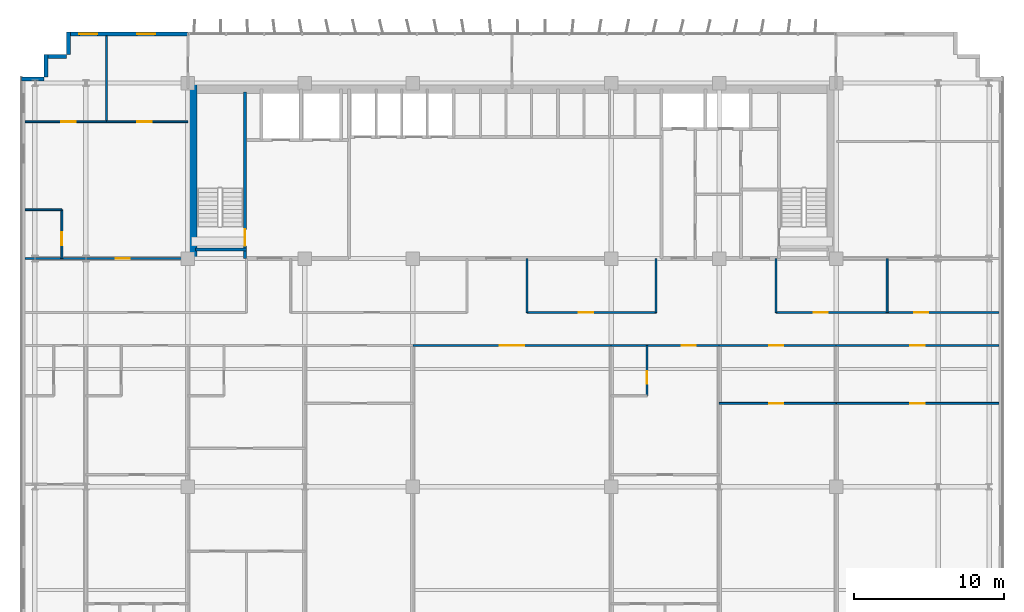
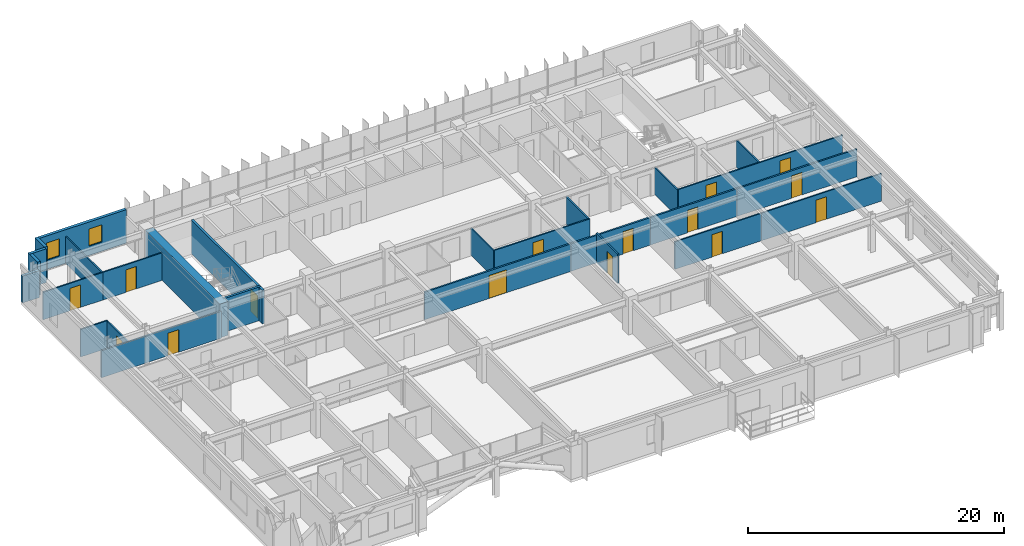
# One storey, part 20 of 25: 27 walls, 15 doors, 2 windows, 17 openings.
"""IFC4 building model written with IfcOpenShell, lengths in metres."""

from ifc_helpers import new_model, si_unit, direction, frame, frame_2d, origin, place, context, subcontext, project, spatial, rectangle, extrude, source, transform, mapped, material, layer, layer_set, type_object, element, fill, save


model = new_model("IFC4")

# Units and contexts
model_context = context("Model", 3, precision=1e-05, world=origin(), true_north=direction((0.0, 1.0)))
body_context = subcontext(model_context, "Body", "Model", "MODEL_VIEW")
ifc_project = project(units=[si_unit("LENGTHUNIT", "METRE"), si_unit("AREAUNIT", "SQUARE_METRE"), si_unit("VOLUMEUNIT", "CUBIC_METRE"), si_unit("PLANEANGLEUNIT", "RADIAN"), si_unit("MASSUNIT", "GRAM", prefix="KILO")], contexts=[model_context])

# Site, building, storey
site_placement = place(None, origin())
site = spatial("IfcSite", under=ifc_project, at=site_placement, CompositionType="ELEMENT")
building_placement = place(site_placement, origin())
building = spatial("IfcBuilding", under=site, at=building_placement, Name="Trelvane Seafront Commons", CompositionType="ELEMENT")
storey_placement = place(building_placement, frame((0.0, 0.0, 70.300048828125)))
storey = spatial("IfcBuildingStorey", under=building, at=storey_placement, Name="L18", CompositionType="ELEMENT", Elevation=70.300048828125)

# Wall, openings, windows
ifc_material_1 = material(Name="Precast concrete C40/50", Category="concrete")
ifc_layer_1 = layer(ifc_material_1, 0.260009765625, Name="ARCH-WALL-EXT260")
ifc_layer_set_1 = layer_set([ifc_layer_1], Name="Precast concrete C40/50")
wall_type_1 = type_object("IfcWallType", Name="ARCH-WALL-EXT260", PredefinedType="SOLIDWALL", material=ifc_layer_set_1)
wall_1_placement = place(storey_placement, frame((7.60009765625, 48.3701171875, 0.0), z_axis=(0.0, 0.0, 1.0), x_axis=(1.0, 0.0, 0.0)))
wall_1 = element("IfcWall", 1, at=wall_1_placement, inside=storey, type_object=wall_type_1, Name="EW-L18-NW-0325", PredefinedType="SOLIDWALL", context=body_context, shape_type="SweptSolid", body=[
    extrude(rectangle(XDim=8.0, YDim=0.260009765625, at=frame_2d((4.0, 0.0))), origin(), (0.0, 0.0, 1.0), 3.219970703125),
])
opening_1_placement = place(wall_1_placement, frame((0.76806640625, 0.0, 0.89990234375)))
opening_1 = element("IfcOpeningElement", 2, at=opening_1_placement, cuts=wall_1, Name="Opening W05", PredefinedType="OPENING", context=body_context, shape_type="SweptSolid", body=[
    extrude(rectangle(XDim=1.199951171875, YDim=1.64990234375, at=frame_2d((0.60009765625, 0.824951171875))), frame((0.0, 0.139892578125, 0.0), z_axis=(0.0, -1.0, 0.0), x_axis=(1.0, 0.0, 0.0)), (0.0, 0.0, 1.0), 0.280029296875),
])
opening_2_placement = place(wall_1_placement, frame((4.60791015625, 0.0, 0.89990234375)))
opening_2 = element("IfcOpeningElement", 3, at=opening_2_placement, cuts=wall_1, Name="Opening W05", PredefinedType="OPENING", context=body_context, shape_type="SweptSolid", body=[
    extrude(rectangle(XDim=1.199951171875, YDim=1.64990234375, at=frame_2d((0.60009765625, 0.824951171875))), frame((0.0, 0.139892578125, 0.0), z_axis=(0.0, -1.0, 0.0), x_axis=(1.0, 0.0, 0.0)), (0.0, 0.0, 1.0), 0.280029296875),
])
ifc_material_2 = material(Name="Low-E coastal double glazing", Category="glass")
window_type = type_object("IfcWindowType", Name="ARCH-WIN-W05", PartitioningType="SINGLE_PANEL", PredefinedType="WINDOW", material=ifc_material_2)
shared_shape_1 = source(origin(), body_context, "Body", "SweptSolid", [
    extrude(rectangle(XDim=1.199951171875, YDim=1.64990234375, at=frame_2d((0.60009765625, 0.824951171875))), frame((0.0, 0.030029296875, 0.0), z_axis=(0.0, -1.0, 0.0), x_axis=(1.0, 0.0, 0.0)), (0.0, 0.0, 1.0), 0.06005859375),
])
window_1_placement = place(opening_1_placement, origin())
window_1 = element("IfcWindow", 4, at=window_1_placement, inside=storey, type_object=window_type, Name="WIN-L18-00375", OverallHeight=1.64990234375, OverallWidth=1.199951171875, PartitioningType="SINGLE_PANEL", PredefinedType="WINDOW", context=body_context, shape_type="MappedRepresentation", body=[
    mapped(shared_shape_1, transform((0.0, 0.0, 0.0), x_axis=(1.0, 0.0, 0.0), y_axis=(0.0, 1.0, 0.0), z_axis=(0.0, 0.0, 1.0), scale=1.0)),
])
fill(opening_1, window_1)
window_2_placement = place(opening_2_placement, origin())
window_2 = element("IfcWindow", 5, at=window_2_placement, inside=storey, type_object=window_type, Name="WIN-L18-00376", OverallHeight=1.64990234375, OverallWidth=1.199951171875, PartitioningType="SINGLE_PANEL", PredefinedType="WINDOW", context=body_context, shape_type="MappedRepresentation", body=[
    mapped(shared_shape_1, transform((0.0, 0.0, 0.0), x_axis=(1.0, 0.0, 0.0), y_axis=(0.0, 1.0, 0.0), z_axis=(0.0, 0.0, 1.0), scale=1.0)),
])
fill(opening_2, window_2)

# Walls
wall_2_placement = place(storey_placement, frame((4.5, 45.3701171875, 0.0), z_axis=(0.0, 0.0, 1.0), x_axis=(1.0, 0.0, 0.0)))
element("IfcWall", 6, at=wall_2_placement, inside=storey, type_object=wall_type_1, Name="EW-L18-00331", PredefinedType="SOLIDWALL", context=body_context, shape_type="SweptSolid", body=[
    extrude(rectangle(XDim=1.5, YDim=0.260009765625, at=frame_2d((0.75, 0.0))), origin(), (0.0, 0.0, 1.0), 2.570068359375),
])
for number, where, z_axis, x_axis, name in (
    (7, (6.1298828125, 45.5, 0.0), (0.0, 0.0, 1.0), (0.0, 1.0, 0.0), "EW-L18-00332"),
    (8, (6.0, 46.8701171875, 0.0), (0.0, 0.0, 1.0), (1.0, 0.0, 0.0), "EW-L18-00333"),
    (9, (7.6298828125, 47.0, 0.0), (0.0, 0.0, 1.0), (0.0, 1.0, 0.0), "EW-L18-00334"),
):
    element("IfcWall", number, at=place(storey_placement, frame(where, z_axis=z_axis, x_axis=x_axis)), inside=storey, type_object=wall_type_1, Name=name, PredefinedType="SOLIDWALL", context=body_context, shape_type="SweptSolid", body=[
        extrude(rectangle(XDim=1.5, YDim=0.260009765625, at=frame_2d((0.75, 0.0))), origin(), (0.0, 0.0, 1.0), 3.219970703125),
    ])

# Wall, opening, door
ifc_material_3 = material(Name="Gypsum Drywall Acoustic Partition")
ifc_layer_2 = layer(ifc_material_3, 0.1201171875, Name="ARCH-WALL-PART120")
ifc_layer_set_2 = layer_set([ifc_layer_2], Name="Gypsum Drywall Acoustic Partition")
wall_type_2 = type_object("IfcWallType", Name="ARCH-WALL-PART120", PredefinedType="PARTITIONING", material=ifc_layer_set_2)
wall_3_placement = place(storey_placement, frame((38.199951171875, 29.800048828125, 0.0), z_axis=(0.0, 0.0, 1.0), x_axis=(1.0, 0.0, 0.0)))
wall_3 = element("IfcWall", 10, at=wall_3_placement, inside=storey, type_object=wall_type_2, Name="W-L18-CORR-N-M2-040", PredefinedType="PARTITIONING", context=body_context, shape_type="SweptSolid", body=[
    extrude(rectangle(XDim=8.60009765625, YDim=0.1201171875, at=frame_2d((4.300048828125, 0.0))), origin(), (0.0, 0.0, 1.0), 2.6318359375),
])
opening_3_placement = place(wall_3_placement, frame((3.4619140625, 0.0, 0.0)))
opening_3 = element("IfcOpeningElement", 11, at=opening_3_placement, cuts=wall_3, Name="Opening D-L18-20", PredefinedType="OPENING", context=body_context, shape_type="SweptSolid", body=[
    extrude(rectangle(XDim=0.949951171875, YDim=2.14990234375, at=frame_2d((0.47509765625, 1.074951171875))), frame((0.0, 0.070068359375, 0.0), z_axis=(0.0, -1.0, 0.0), x_axis=(1.0, 0.0, 0.0)), (0.0, 0.0, 1.0), 0.14013671875),
])
ifc_material_4 = material(Name="Acoustic timber door leaf", Category="wood")
door_type_1 = type_object("IfcDoorType", Name="ARCH-DR-INT950", OperationType="NOTDEFINED", PredefinedType="DOOR", material=ifc_material_4)
shared_shape_2 = source(origin(), body_context, "Body", "SweptSolid", [
    extrude(rectangle(XDim=0.949951171875, YDim=2.14990234375, at=frame_2d((0.47509765625, 1.074951171875))), frame((0.0, 0.02490234375, 0.0), z_axis=(0.0, -1.0, 0.0), x_axis=(1.0, 0.0, 0.0)), (0.0, 0.0, 1.0), 0.050048828125),
])
door_1_placement = place(opening_3_placement, origin())
door_1 = element("IfcDoor", 12, at=door_1_placement, inside=storey, type_object=door_type_1, Name="L18 Door 20", OperationType="SINGLE_SWING_RIGHT", OverallHeight=2.14990234375, OverallWidth=0.949951171875, PredefinedType="DOOR", context=body_context, shape_type="MappedRepresentation", body=[
    mapped(shared_shape_2, transform((0.0, 0.0, 0.0), x_axis=(1.0, 0.0, 0.0), y_axis=(0.0, 1.0, 0.0), z_axis=(0.0, 0.0, 1.0), scale=1.0)),
])
fill(opening_3, door_1)

# Wall, openings, doors
wall_4_placement = place(storey_placement, frame((54.800048828125, 29.800048828125, 0.0), z_axis=(0.0, 0.0, 1.0), x_axis=(1.0, 0.0, 0.0)))
wall_4 = element("IfcWall", 13, at=wall_4_placement, inside=storey, type_object=wall_type_2, Name="W-L18-CORR-N-E-041", PredefinedType="PARTITIONING", context=body_context, shape_type="SweptSolid", body=[
    extrude(rectangle(XDim=14.849853515625, YDim=0.1201171875, at=frame_2d((7.4248046875, 0.0))), origin(), (0.0, 0.0, 1.0), 2.6318359375),
])
opening_4_placement = place(wall_4_placement, frame((2.5, 0.0, 0.0)))
opening_4 = element("IfcOpeningElement", 14, at=opening_4_placement, cuts=wall_4, Name="Opening D-L18-21", PredefinedType="OPENING", context=body_context, shape_type="SweptSolid", body=[
    extrude(rectangle(XDim=0.949951171875, YDim=2.14990234375, at=frame_2d((0.47509765625, 1.074951171875))), frame((0.0, 0.070068359375, 0.0), z_axis=(0.0, -1.0, 0.0), x_axis=(1.0, 0.0, 0.0)), (0.0, 0.0, 1.0), 0.14013671875),
])
opening_5_placement = place(wall_4_placement, frame((9.199951171875, 0.0, 0.0)))
opening_5 = element("IfcOpeningElement", 15, at=opening_5_placement, cuts=wall_4, Name="Opening D-L18-22", PredefinedType="OPENING", context=body_context, shape_type="SweptSolid", body=[
    extrude(rectangle(XDim=0.949951171875, YDim=2.14990234375, at=frame_2d((0.47509765625, 1.074951171875))), frame((0.0, 0.070068359375, 0.0), z_axis=(0.0, -1.0, 0.0), x_axis=(1.0, 0.0, 0.0)), (0.0, 0.0, 1.0), 0.14013671875),
])
door_2_placement = place(opening_4_placement, origin())
door_2 = element("IfcDoor", 16, at=door_2_placement, inside=storey, type_object=door_type_1, Name="L18 Door 21", OperationType="SINGLE_SWING_LEFT", OverallHeight=2.14990234375, OverallWidth=0.949951171875, PredefinedType="DOOR", context=body_context, shape_type="MappedRepresentation", body=[
    mapped(shared_shape_2, transform((0.0, 0.0, 0.0), x_axis=(1.0, 0.0, 0.0), y_axis=(0.0, 1.0, 0.0), z_axis=(0.0, 0.0, 1.0), scale=1.0)),
])
fill(opening_4, door_2)
door_3_placement = place(opening_5_placement, origin())
door_3 = element("IfcDoor", 17, at=door_3_placement, inside=storey, type_object=door_type_1, Name="L18 Door 22", OperationType="SINGLE_SWING_RIGHT", OverallHeight=2.14990234375, OverallWidth=0.949951171875, PredefinedType="DOOR", context=body_context, shape_type="MappedRepresentation", body=[
    mapped(shared_shape_2, transform((0.0, 0.0, 0.0), x_axis=(1.0, 0.0, 0.0), y_axis=(0.0, 1.0, 0.0), z_axis=(0.0, 0.0, 1.0), scale=1.0)),
])
fill(opening_5, door_3)

# Walls
for number, where, z_axis, x_axis, name in (
    (18, (62.199951171875, 29.800048828125, 0.0), (0.0, 0.0, 1.0), (0.0, 1.0, 0.0), "W-L18-N-LAUN-DV-042"),
    (19, (38.199951171875, 29.800048828125, 0.0), (0.0, 0.0, 1.0), (0.0, 1.0, 0.0), "W-L18-N-SPUR-M2-046"),
    (20, (46.800048828125, 29.800048828125, 0.0), (0.0, 0.0, 1.0), (0.0, 1.0, 0.0), "W-L18-N-SPUR-E1-047"),
    (21, (54.800048828125, 29.800048828125, 0.0), (0.0, 0.0, 1.0), (0.0, 1.0, 0.0), "W-L18-N-SPUR-E2-048"),
):
    element("IfcWall", number, at=place(storey_placement, frame(where, z_axis=z_axis, x_axis=x_axis)), inside=storey, type_object=wall_type_2, Name=name, PredefinedType="PARTITIONING", context=body_context, shape_type="SweptSolid", body=[
        extrude(rectangle(XDim=3.599853515625, YDim=0.1201171875, at=frame_2d((1.7998046875, 0.0))), origin(), (0.0, 0.0, 1.0), 2.570068359375),
    ])

# Wall, opening, door
wall_5_placement = place(storey_placement, frame((7.199951171875, 33.39990234375, 0.0), z_axis=(0.0, 0.0, 1.0), x_axis=(0.0, 1.0, 0.0)))
wall_5 = element("IfcWall", 22, at=wall_5_placement, inside=storey, type_object=wall_type_2, Name="W-L18-NW-BE-049", PredefinedType="PARTITIONING", context=body_context, shape_type="SweptSolid", body=[
    extrude(rectangle(XDim=3.25, YDim=0.1201171875, at=frame_2d((1.625, 0.0))), origin(), (0.0, 0.0, 1.0), 2.570068359375),
])
opening_6_placement = place(wall_5_placement, frame((0.89990234375, 0.0, 0.0)))
opening_6 = element("IfcOpeningElement", 23, at=opening_6_placement, cuts=wall_5, Name="Opening D-L18-23", PredefinedType="OPENING", context=body_context, shape_type="SweptSolid", body=[
    extrude(rectangle(XDim=0.85009765625, YDim=2.10009765625, at=frame_2d((0.425048828125, 1.050048828125))), frame((0.0, 0.070068359375, 0.0), z_axis=(0.0, -1.0, 0.0), x_axis=(1.0, 0.0, 0.0)), (0.0, 0.0, 1.0), 0.14013671875),
])
door_type_2 = type_object("IfcDoorType", Name="ARCH-DR-INT850", OperationType="NOTDEFINED", PredefinedType="DOOR", material=ifc_material_4)
shared_shape_3 = source(origin(), body_context, "Body", "SweptSolid", [
    extrude(rectangle(XDim=0.85009765625, YDim=2.10009765625, at=frame_2d((0.425048828125, 1.050048828125))), frame((0.0, 0.02490234375, 0.0), z_axis=(0.0, -1.0, 0.0), x_axis=(1.0, 0.0, 0.0)), (0.0, 0.0, 1.0), 0.050048828125),
])
door_4_placement = place(opening_6_placement, origin())
door_4 = element("IfcDoor", 24, at=door_4_placement, inside=storey, type_object=door_type_2, Name="L18 Door 23", OperationType="SINGLE_SWING_LEFT", OverallHeight=2.10009765625, OverallWidth=0.85009765625, PredefinedType="DOOR", context=body_context, shape_type="MappedRepresentation", body=[
    mapped(shared_shape_3, transform((0.0, 0.0, 0.0), x_axis=(1.0, 0.0, 0.0), y_axis=(0.0, 1.0, 0.0), z_axis=(0.0, 0.0, 1.0), scale=1.0)),
])
fill(opening_6, door_4)

# Wall
wall_6_placement = place(storey_placement, frame((4.75, 36.64990234375, 0.0), z_axis=(0.0, 0.0, 1.0), x_axis=(1.0, 0.0, 0.0)))
element("IfcWall", 25, at=wall_6_placement, inside=storey, type_object=wall_type_2, Name="W-L18-NW-BN-050", PredefinedType="PARTITIONING", context=body_context, shape_type="SweptSolid", body=[
    extrude(rectangle(XDim=2.449951171875, YDim=0.1201171875, at=frame_2d((1.22509765625, 0.0))), origin(), (0.0, 0.0, 1.0), 2.6318359375),
])

# Wall, opening, door
wall_7_placement = place(storey_placement, frame((4.75, 42.52001953125, 0.0), z_axis=(0.0, 0.0, 1.0), x_axis=(1.0, 0.0, 0.0)))
wall_7 = element("IfcWall", 26, at=wall_7_placement, inside=storey, type_object=wall_type_2, Name="W-L18-NW-KB1-051", PredefinedType="PARTITIONING", context=body_context, shape_type="SweptSolid", body=[
    extrude(rectangle(XDim=5.425048828125, YDim=0.1201171875, at=frame_2d((2.71240234375, 0.0))), origin(), (0.0, 0.0, 1.0), 2.6318359375),
])
opening_7_placement = place(wall_7_placement, frame((2.423095703125, 0.0, 0.0)))
opening_7 = element("IfcOpeningElement", 27, at=opening_7_placement, cuts=wall_7, Name="Opening D-L18-24", PredefinedType="OPENING", context=body_context, shape_type="SweptSolid", body=[
    extrude(rectangle(XDim=0.949951171875, YDim=2.14990234375, at=frame_2d((0.47509765625, 1.074951171875))), frame((0.0, 0.070068359375, 0.0), z_axis=(0.0, -1.0, 0.0), x_axis=(1.0, 0.0, 0.0)), (0.0, 0.0, 1.0), 0.14013671875),
])
door_5_placement = place(opening_7_placement, origin())
door_5 = element("IfcDoor", 28, at=door_5_placement, inside=storey, type_object=door_type_1, Name="L18 Door 24", OperationType="SINGLE_SWING_RIGHT", OverallHeight=2.14990234375, OverallWidth=0.949951171875, PredefinedType="DOOR", context=body_context, shape_type="MappedRepresentation", body=[
    mapped(shared_shape_2, transform((0.0, 0.0, 0.0), x_axis=(1.0, 0.0, 0.0), y_axis=(0.0, 1.0, 0.0), z_axis=(0.0, 0.0, 1.0), scale=1.0)),
])
fill(opening_7, door_5)

wall_8_placement = place(storey_placement, frame((10.175048828125, 42.52001953125, 0.0), z_axis=(0.0, 0.0, 1.0), x_axis=(1.0, 0.0, 0.0)))
wall_8 = element("IfcWall", 29, at=wall_8_placement, inside=storey, type_object=wall_type_2, Name="W-L18-NW-KB2-052", PredefinedType="PARTITIONING", context=body_context, shape_type="SweptSolid", body=[
    extrude(rectangle(XDim=5.425048828125, YDim=0.1201171875, at=frame_2d((2.71240234375, 0.0))), origin(), (0.0, 0.0, 1.0), 2.6318359375),
])
opening_8_placement = place(wall_8_placement, frame((2.052001953125, 0.0, 0.0)))
opening_8 = element("IfcOpeningElement", 30, at=opening_8_placement, cuts=wall_8, Name="Opening D-L18-25", PredefinedType="OPENING", context=body_context, shape_type="SweptSolid", body=[
    extrude(rectangle(XDim=0.949951171875, YDim=2.14990234375, at=frame_2d((0.47509765625, 1.074951171875))), frame((0.0, 0.070068359375, 0.0), z_axis=(0.0, -1.0, 0.0), x_axis=(1.0, 0.0, 0.0)), (0.0, 0.0, 1.0), 0.14013671875),
])
door_6_placement = place(opening_8_placement, origin())
door_6 = element("IfcDoor", 31, at=door_6_placement, inside=storey, type_object=door_type_1, Name="L18 Door 25", OperationType="SINGLE_SWING_LEFT", OverallHeight=2.14990234375, OverallWidth=0.949951171875, PredefinedType="DOOR", context=body_context, shape_type="MappedRepresentation", body=[
    mapped(shared_shape_2, transform((0.0, 0.0, 0.0), x_axis=(1.0, 0.0, 0.0), y_axis=(0.0, 1.0, 0.0), z_axis=(0.0, 0.0, 1.0), scale=1.0)),
])
fill(opening_8, door_6)

# Wall
wall_9_placement = place(storey_placement, frame((10.175048828125, 42.52001953125, 0.0), z_axis=(0.0, 0.0, 1.0), x_axis=(0.0, 1.0, 0.0)))
element("IfcWall", 32, at=wall_9_placement, inside=storey, type_object=wall_type_2, Name="W-L18-NW-KBDV-053", PredefinedType="PARTITIONING", context=body_context, shape_type="SweptSolid", body=[
    extrude(rectangle(XDim=5.719970703125, YDim=0.1201171875, at=frame_2d((2.85986328125, 0.0))), origin(), (0.0, 0.0, 1.0), 2.570068359375),
])

# Wall, opening, door
wall_10_placement = place(storey_placement, frame((46.199951171875, 24.25, 0.0), z_axis=(0.0, 0.0, 1.0), x_axis=(0.0, 1.0, 0.0)))
wall_10 = element("IfcWall", 33, at=wall_10_placement, inside=storey, type_object=wall_type_2, Name="W-L18-U6-BE-092", PredefinedType="PARTITIONING", context=body_context, shape_type="SweptSolid", body=[
    extrude(rectangle(XDim=3.35009765625, YDim=0.1201171875, at=frame_2d((1.675048828125, 0.0))), origin(), (0.0, 0.0, 1.0), 2.820068359375),
])
opening_9_placement = place(wall_10_placement, frame((0.800048828125, 0.0, 0.0)))
opening_9 = element("IfcOpeningElement", 34, at=opening_9_placement, cuts=wall_10, Name="Opening D-L18-51", PredefinedType="OPENING", context=body_context, shape_type="SweptSolid", body=[
    extrude(rectangle(XDim=0.85009765625, YDim=2.10009765625, at=frame_2d((0.425048828125, 1.050048828125))), frame((0.0, 0.070068359375, 0.0), z_axis=(0.0, -1.0, 0.0), x_axis=(1.0, 0.0, 0.0)), (0.0, 0.0, 1.0), 0.14013671875),
])
door_7_placement = place(opening_9_placement, origin())
door_7 = element("IfcDoor", 35, at=door_7_placement, inside=storey, type_object=door_type_2, Name="L18 Door 51", OperationType="SINGLE_SWING_LEFT", OverallHeight=2.10009765625, OverallWidth=0.85009765625, PredefinedType="DOOR", context=body_context, shape_type="MappedRepresentation", body=[
    mapped(shared_shape_3, transform((0.0, 0.0, 0.0), x_axis=(1.0, 0.0, 0.0), y_axis=(0.0, 1.0, 0.0), z_axis=(0.0, 0.0, 1.0), scale=1.0)),
])
fill(opening_9, door_7)

wall_11_placement = place(storey_placement, frame((51.0, 23.75, 0.0), z_axis=(0.0, 0.0, 1.0), x_axis=(1.0, 0.0, 0.0)))
wall_11 = element("IfcWall", 36, at=wall_11_placement, inside=storey, type_object=wall_type_2, Name="W-L18-U7-DIV-099", PredefinedType="PARTITIONING", context=body_context, shape_type="SweptSolid", body=[
    extrude(rectangle(XDim=7.800048828125, YDim=0.1201171875, at=frame_2d((3.89990234375, 0.0))), origin(), (0.0, 0.0, 1.0), 2.6318359375),
])
opening_10_placement = place(wall_11_placement, frame((3.3330078125, 0.0, 0.0)))
opening_10 = element("IfcOpeningElement", 37, at=opening_10_placement, cuts=wall_11, Name="Opening D-L18-56", PredefinedType="OPENING", context=body_context, shape_type="SweptSolid", body=[
    extrude(rectangle(XDim=0.949951171875, YDim=2.14990234375, at=frame_2d((0.47509765625, 1.074951171875))), frame((0.0, 0.070068359375, 0.0), z_axis=(0.0, -1.0, 0.0), x_axis=(1.0, 0.0, 0.0)), (0.0, 0.0, 1.0), 0.14013671875),
])
door_8_placement = place(opening_10_placement, origin())
door_8 = element("IfcDoor", 38, at=door_8_placement, inside=storey, type_object=door_type_1, Name="L18 Door 56", OperationType="SINGLE_SWING_RIGHT", OverallHeight=2.14990234375, OverallWidth=0.949951171875, PredefinedType="DOOR", context=body_context, shape_type="MappedRepresentation", body=[
    mapped(shared_shape_2, transform((0.0, 0.0, 0.0), x_axis=(1.0, 0.0, 0.0), y_axis=(0.0, 1.0, 0.0), z_axis=(0.0, 0.0, 1.0), scale=1.0)),
])
fill(opening_10, door_8)

wall_12_placement = place(storey_placement, frame((58.800048828125, 23.75, 0.0), z_axis=(0.0, 0.0, 1.0), x_axis=(1.0, 0.0, 0.0)))
wall_12 = element("IfcWall", 39, at=wall_12_placement, inside=storey, type_object=wall_type_2, Name="W-L18-U8-DIV-101", PredefinedType="PARTITIONING", context=body_context, shape_type="SweptSolid", body=[
    extrude(rectangle(XDim=10.85498046875, YDim=0.1201171875, at=frame_2d((5.427490234375, 0.0))), origin(), (0.0, 0.0, 1.0), 2.6318359375),
])
opening_11_placement = place(wall_12_placement, frame((4.952880859375, 0.0, 0.0)))
opening_11 = element("IfcOpeningElement", 40, at=opening_11_placement, cuts=wall_12, Name="Opening D-L18-58", PredefinedType="OPENING", context=body_context, shape_type="SweptSolid", body=[
    extrude(rectangle(XDim=0.949951171875, YDim=2.14990234375, at=frame_2d((0.47509765625, 1.074951171875))), frame((0.0, 0.070068359375, 0.0), z_axis=(0.0, -1.0, 0.0), x_axis=(1.0, 0.0, 0.0)), (0.0, 0.0, 1.0), 0.14013671875),
])
door_9_placement = place(opening_11_placement, origin())
door_9 = element("IfcDoor", 41, at=door_9_placement, inside=storey, type_object=door_type_1, Name="L18 Door 58", OperationType="SINGLE_SWING_RIGHT", OverallHeight=2.14990234375, OverallWidth=0.949951171875, PredefinedType="DOOR", context=body_context, shape_type="MappedRepresentation", body=[
    mapped(shared_shape_2, transform((0.0, 0.0, 0.0), x_axis=(1.0, 0.0, 0.0), y_axis=(0.0, 1.0, 0.0), z_axis=(0.0, 0.0, 1.0), scale=1.0)),
])
fill(opening_11, door_9)

ifc_layer_3 = layer(ifc_material_3, 0.14990234375, Name="ARCH-WALL-PART150")
ifc_layer_set_3 = layer_set([ifc_layer_3], Name="Gypsum Drywall Acoustic Partition")
wall_type_3 = type_object("IfcWallType", Name="ARCH-WALL-PART150", PredefinedType="PARTITIONING", material=ifc_layer_set_3)
wall_13_placement = place(storey_placement, frame((4.75, 33.39990234375, 0.0), z_axis=(0.0, 0.0, 1.0), x_axis=(1.0, 0.0, 0.0)))
wall_13 = element("IfcWall", 42, at=wall_13_placement, inside=storey, type_object=wall_type_3, Name="W-L18-NW-ENT-054", PredefinedType="PARTITIONING", context=body_context, shape_type="SweptSolid", body=[
    extrude(rectangle(XDim=10.85009765625, YDim=0.14990234375, at=frame_2d((5.425048828125, 0.0))), origin(), (0.0, 0.0, 1.0), 2.570068359375),
])
opening_12_placement = place(wall_13_placement, frame((6.02490234375, 0.0, 0.0)))
opening_12 = element("IfcOpeningElement", 43, at=opening_12_placement, cuts=wall_13, Name="Opening FD-L18-26", PredefinedType="OPENING", context=body_context, shape_type="SweptSolid", body=[
    extrude(rectangle(XDim=0.949951171875, YDim=2.14990234375, at=frame_2d((0.47509765625, 1.074951171875))), frame((0.0, 0.0849609375, 0.0), z_axis=(0.0, -1.0, 0.0), x_axis=(1.0, 0.0, 0.0)), (0.0, 0.0, 1.0), 0.169921875),
])
ifc_material_5 = material(Name="Powder-coated aluminium frame", Category="aluminium")
door_type_3 = type_object("IfcDoorType", Name="ARCH-DR-FD60-950", OperationType="NOTDEFINED", PredefinedType="DOOR", material=ifc_material_5)
door_10_placement = place(opening_12_placement, origin())
door_10 = element("IfcDoor", 44, at=door_10_placement, inside=storey, type_object=door_type_3, Name="L18 NW Flat Entrance Door", OperationType="SINGLE_SWING_RIGHT", OverallHeight=2.14990234375, OverallWidth=0.949951171875, PredefinedType="DOOR", context=body_context, shape_type="MappedRepresentation", body=[
    mapped(shared_shape_2, transform((0.0, 0.0, 0.0), x_axis=(1.0, 0.0, 0.0), y_axis=(0.0, 1.0, 0.0), z_axis=(0.0, 0.0, 1.0), scale=1.0)),
])
fill(opening_12, door_10)

wall_14_placement = place(storey_placement, frame((30.60009765625, 27.60009765625, 0.0), z_axis=(0.0, 0.0, 1.0), x_axis=(1.0, 0.0, 0.0)))
wall_14 = element("IfcWall", 45, at=wall_14_placement, inside=storey, type_object=wall_type_3, Name="W-L18-CS-BAY-5-090", PredefinedType="PARTITIONING", context=body_context, shape_type="SweptSolid", body=[
    extrude(rectangle(XDim=13.199951171875, YDim=0.14990234375, at=frame_2d((6.60009765625, 0.0))), origin(), (0.0, 0.0, 1.0), 2.6318359375),
])
opening_13_placement = place(wall_14_placement, frame((5.800048828125, 0.0, 0.0)))
opening_13 = element("IfcOpeningElement", 46, at=opening_13_placement, cuts=wall_14, Name="Opening D-L18-49", PredefinedType="OPENING", context=body_context, shape_type="SweptSolid", body=[
    extrude(rectangle(XDim=1.60009765625, YDim=2.199951171875, at=frame_2d((0.800048828125, 1.10009765625))), frame((0.0, 0.0849609375, 0.0), z_axis=(0.0, -1.0, 0.0), x_axis=(1.0, 0.0, 0.0)), (0.0, 0.0, 1.0), 0.169921875),
])
door_type_4 = type_object("IfcDoorType", Name="ARCH-DR-GLZ1600", OperationType="DOUBLE_DOOR_SINGLE_SWING", PredefinedType="DOOR", material=ifc_material_4)
shared_shape_4 = source(origin(), body_context, "Body", "SweptSolid", [
    extrude(rectangle(XDim=1.60009765625, YDim=2.199951171875, at=frame_2d((0.800048828125, 1.10009765625))), frame((0.0, 0.02490234375, 0.0), z_axis=(0.0, -1.0, 0.0), x_axis=(1.0, 0.0, 0.0)), (0.0, 0.0, 1.0), 0.050048828125),
])
door_11_placement = place(opening_13_placement, origin())
door_11 = element("IfcDoor", 47, at=door_11_placement, inside=storey, type_object=door_type_4, Name="L18 Commons Lounge 05 Door", OperationType="DOUBLE_DOOR_SINGLE_SWING", OverallHeight=2.199951171875, OverallWidth=1.60009765625, PredefinedType="DOOR", context=body_context, shape_type="MappedRepresentation", body=[
    mapped(shared_shape_4, transform((0.0, 0.0, 0.0), x_axis=(1.0, 0.0, 0.0), y_axis=(0.0, 1.0, 0.0), z_axis=(0.0, 0.0, 1.0), scale=1.0)),
])
fill(opening_13, door_11)

wall_15_placement = place(storey_placement, frame((43.800048828125, 27.60009765625, 0.0), z_axis=(0.0, 0.0, 1.0), x_axis=(1.0, 0.0, 0.0)))
wall_15 = element("IfcWall", 48, at=wall_15_placement, inside=storey, type_object=wall_type_3, Name="W-L18-CS-BAY-6-094", PredefinedType="PARTITIONING", context=body_context, shape_type="SweptSolid", body=[
    extrude(rectangle(XDim=7.199951171875, YDim=0.14990234375, at=frame_2d((3.60009765625, 0.0))), origin(), (0.0, 0.0, 1.0), 2.6318359375),
])
opening_14_placement = place(wall_15_placement, frame((4.7060546875, 0.0, 0.0)))
opening_14 = element("IfcOpeningElement", 49, at=opening_14_placement, cuts=wall_15, Name="Opening FD-L18-52", PredefinedType="OPENING", context=body_context, shape_type="SweptSolid", body=[
    extrude(rectangle(XDim=0.949951171875, YDim=2.14990234375, at=frame_2d((0.47509765625, 1.074951171875))), frame((0.0, 0.0849609375, 0.0), z_axis=(0.0, -1.0, 0.0), x_axis=(1.0, 0.0, 0.0)), (0.0, 0.0, 1.0), 0.169921875),
])
door_12_placement = place(opening_14_placement, origin())
door_12 = element("IfcDoor", 50, at=door_12_placement, inside=storey, type_object=door_type_3, Name="L18 Unit 06 Entrance Door", OperationType="SINGLE_SWING_RIGHT", OverallHeight=2.14990234375, OverallWidth=0.949951171875, PredefinedType="DOOR", context=body_context, shape_type="MappedRepresentation", body=[
    mapped(shared_shape_2, transform((0.0, 0.0, 0.0), x_axis=(1.0, 0.0, 0.0), y_axis=(0.0, 1.0, 0.0), z_axis=(0.0, 0.0, 1.0), scale=1.0)),
])
fill(opening_14, door_12)

wall_16_placement = place(storey_placement, frame((51.0, 27.60009765625, 0.0), z_axis=(0.0, 0.0, 1.0), x_axis=(1.0, 0.0, 0.0)))
wall_16 = element("IfcWall", 51, at=wall_16_placement, inside=storey, type_object=wall_type_3, Name="W-L18-CS-BAY-7-098", PredefinedType="PARTITIONING", context=body_context, shape_type="SweptSolid", body=[
    extrude(rectangle(XDim=7.800048828125, YDim=0.14990234375, at=frame_2d((3.89990234375, 0.0))), origin(), (0.0, 0.0, 1.0), 2.6318359375),
])
opening_15_placement = place(wall_16_placement, frame((3.3330078125, 0.0, 0.0)))
opening_15 = element("IfcOpeningElement", 52, at=opening_15_placement, cuts=wall_16, Name="Opening FD-L18-55", PredefinedType="OPENING", context=body_context, shape_type="SweptSolid", body=[
    extrude(rectangle(XDim=0.949951171875, YDim=2.14990234375, at=frame_2d((0.47509765625, 1.074951171875))), frame((0.0, 0.0849609375, 0.0), z_axis=(0.0, -1.0, 0.0), x_axis=(1.0, 0.0, 0.0)), (0.0, 0.0, 1.0), 0.169921875),
])
door_13_placement = place(opening_15_placement, origin())
door_13 = element("IfcDoor", 53, at=door_13_placement, inside=storey, type_object=door_type_3, Name="L18 Bay 07 Entrance Door", OperationType="SINGLE_SWING_LEFT", OverallHeight=2.14990234375, OverallWidth=0.949951171875, PredefinedType="DOOR", context=body_context, shape_type="MappedRepresentation", body=[
    mapped(shared_shape_2, transform((0.0, 0.0, 0.0), x_axis=(1.0, 0.0, 0.0), y_axis=(0.0, 1.0, 0.0), z_axis=(0.0, 0.0, 1.0), scale=1.0)),
])
fill(opening_15, door_13)

wall_17_placement = place(storey_placement, frame((58.800048828125, 27.60009765625, 0.0), z_axis=(0.0, 0.0, 1.0), x_axis=(1.0, 0.0, 0.0)))
wall_17 = element("IfcWall", 54, at=wall_17_placement, inside=storey, type_object=wall_type_3, Name="W-L18-CS-BAY-8-100", PredefinedType="PARTITIONING", context=body_context, shape_type="SweptSolid", body=[
    extrude(rectangle(XDim=10.85498046875, YDim=0.14990234375, at=frame_2d((5.427490234375, 0.0))), origin(), (0.0, 0.0, 1.0), 2.6318359375),
])
opening_16_placement = place(wall_17_placement, frame((4.952880859375, 0.0, 0.0)))
opening_16 = element("IfcOpeningElement", 55, at=opening_16_placement, cuts=wall_17, Name="Opening FD-L18-57", PredefinedType="OPENING", context=body_context, shape_type="SweptSolid", body=[
    extrude(rectangle(XDim=0.949951171875, YDim=2.14990234375, at=frame_2d((0.47509765625, 1.074951171875))), frame((0.0, 0.0849609375, 0.0), z_axis=(0.0, -1.0, 0.0), x_axis=(1.0, 0.0, 0.0)), (0.0, 0.0, 1.0), 0.169921875),
])
door_14_placement = place(opening_16_placement, origin())
door_14 = element("IfcDoor", 56, at=door_14_placement, inside=storey, type_object=door_type_3, Name="L18 Bay 08 Entrance Door", OperationType="SINGLE_SWING_LEFT", OverallHeight=2.14990234375, OverallWidth=0.949951171875, PredefinedType="DOOR", context=body_context, shape_type="MappedRepresentation", body=[
    mapped(shared_shape_2, transform((0.0, 0.0, 0.0), x_axis=(1.0, 0.0, 0.0), y_axis=(0.0, 1.0, 0.0), z_axis=(0.0, 0.0, 1.0), scale=1.0)),
])
fill(opening_16, door_14)

# Walls
ifc_material_6 = material(Name="Concrete C60/75", Category="concrete")
ifc_layer_4 = layer(ifc_material_6, 0.699951171875, Name="STR-WALL-CORE700")
ifc_layer_set_4 = layer_set([ifc_layer_4], Name="Concrete C60/75")
wall_type_4 = type_object("IfcWallType", Name="STR-WALL-CORE700", PredefinedType="SHEAR", material=ifc_layer_set_4)
wall_18_placement = place(storey_placement, frame((15.85009765625, 33.39990234375, 0.0), z_axis=(0.0, 0.0, 1.0), x_axis=(0.0, 1.0, 0.0)))
element("IfcWall", 57, at=wall_18_placement, inside=storey, type_object=wall_type_4, Name="W-L18-CW-END-002", PredefinedType="SHEAR", context=body_context, shape_type="SweptSolid", body=[
    extrude(rectangle(XDim=11.7001953125, YDim=0.699951171875, at=frame_2d((5.85009765625, 0.0))), origin(), (0.0, 0.0, 1.0), 3.219970703125),
])
ifc_material_7 = material(Name="Concrete C50/60", Category="concrete")
ifc_layer_5 = layer(ifc_material_7, 0.199951171875, Name="STR-WALL-STAIR200")
ifc_layer_set_5 = layer_set([ifc_layer_5], Name="Concrete C50/60")
wall_type_5 = type_object("IfcWallType", Name="STR-WALL-STAIR200", PredefinedType="SHEAR", material=ifc_layer_set_5)
wall_19_placement = place(storey_placement, frame((16.10009765625, 34.0, 0.0), z_axis=(0.0, 0.0, 1.0), x_axis=(1.0, 0.0, 0.0)))
element("IfcWall", 58, at=wall_19_placement, inside=storey, type_object=wall_type_5, Name="W-L18-ST1-S-004", PredefinedType="SHEAR", context=body_context, shape_type="SweptSolid", body=[
    extrude(rectangle(XDim=3.39990234375, YDim=0.199951171875, at=frame_2d((1.699951171875, 0.0))), origin(), (0.0, 0.0, 1.0), 3.219970703125),
])

# Wall, opening, door
wall_20_placement = place(storey_placement, frame((19.39990234375, 33.39990234375, 0.0), z_axis=(0.0, 0.0, 1.0), x_axis=(0.0, 1.0, 0.0)))
wall_20 = element("IfcWall", 59, at=wall_20_placement, inside=storey, type_object=wall_type_5, Name="W-L18-ST1-E-005", PredefinedType="SHEAR", context=body_context, shape_type="SweptSolid", body=[
    extrude(rectangle(XDim=11.10009765625, YDim=0.199951171875, at=frame_2d((5.550048828125, 0.0))), origin(), (0.0, 0.0, 1.0), 3.219970703125),
])
opening_17_placement = place(wall_20_placement, frame((0.85009765625, 0.0, 0.0)))
opening_17 = element("IfcOpeningElement", 60, at=opening_17_placement, cuts=wall_20, Name="Opening ST-D1-L18", PredefinedType="OPENING", context=body_context, shape_type="SweptSolid", body=[
    extrude(rectangle(XDim=1.10009765625, YDim=2.14990234375, at=frame_2d((0.550048828125, 1.074951171875))), frame((0.0, 0.10986328125, 0.0), z_axis=(0.0, -1.0, 0.0), x_axis=(1.0, 0.0, 0.0)), (0.0, 0.0, 1.0), 0.219970703125),
])
door_type_5 = type_object("IfcDoorType", Name="ARCH-DR-FD90-1100", OperationType="NOTDEFINED", PredefinedType="DOOR", material=ifc_material_5)
shared_shape_5 = source(origin(), body_context, "Body", "SweptSolid", [
    extrude(rectangle(XDim=1.10009765625, YDim=2.14990234375, at=frame_2d((0.550048828125, 1.074951171875))), frame((0.0, 0.02490234375, 0.0), z_axis=(0.0, -1.0, 0.0), x_axis=(1.0, 0.0, 0.0)), (0.0, 0.0, 1.0), 0.050048828125),
])
door_15_placement = place(opening_17_placement, origin())
door_15 = element("IfcDoor", 61, at=door_15_placement, inside=storey, type_object=door_type_5, Name="L18 Stair ST-1 Lobby Fire Door", OperationType="SINGLE_SWING_LEFT", OverallHeight=2.14990234375, OverallWidth=1.10009765625, PredefinedType="DOOR", context=body_context, shape_type="MappedRepresentation", body=[
    mapped(shared_shape_5, transform((0.0, 0.0, 0.0), x_axis=(1.0, 0.0, 0.0), y_axis=(0.0, 1.0, 0.0), z_axis=(0.0, 0.0, 1.0), scale=1.0)),
])
fill(opening_17, door_15)

save(model, "model.ifc")
